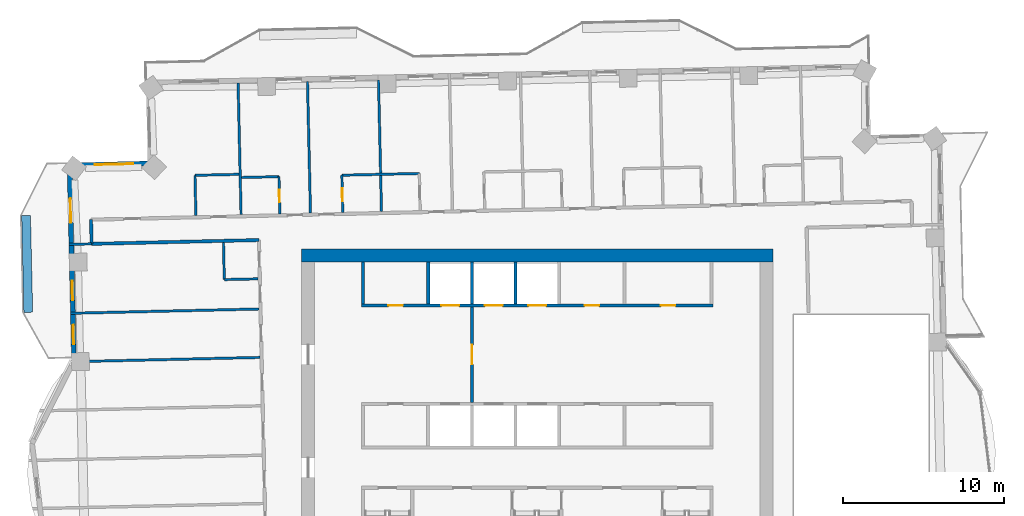
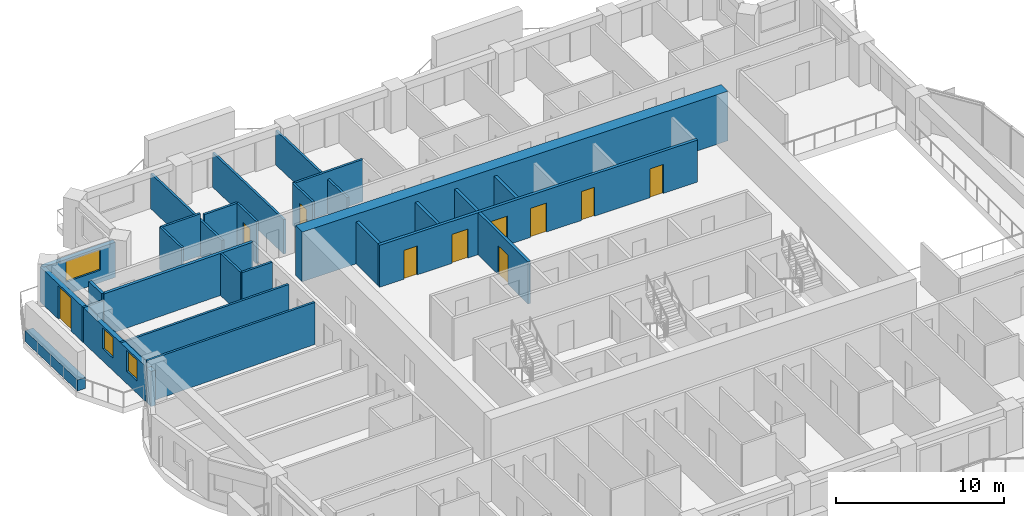
# One storey, part 10 of 17: 26 walls, 10 doors, 3 windows, 13 openings.
"""IFC4 building model written with IfcOpenShell, lengths in metres."""

from ifc_helpers import new_model, si_unit, direction, frame, frame_2d, origin, place, context, subcontext, project, spatial, rectangle, extrude, material, layer, layer_set, type_object, element, fill, save


model = new_model("IFC4")

# Units and contexts
model_context = context("Model", 3, precision=1e-05, world=origin(), true_north=direction((0.0, 1.0)))
body_context = subcontext(model_context, "Body", "Model", "MODEL_VIEW")
ifc_project = project(units=[si_unit("LENGTHUNIT", "METRE"), si_unit("AREAUNIT", "SQUARE_METRE"), si_unit("VOLUMEUNIT", "CUBIC_METRE"), si_unit("PLANEANGLEUNIT", "RADIAN"), si_unit("MASSUNIT", "GRAM", prefix="KILO")], contexts=[model_context])

# Site, building, storey
site_placement = place(None, origin())
site = spatial("IfcSite", under=ifc_project, at=site_placement, CompositionType="ELEMENT")
building_placement = place(site_placement, origin())
building = spatial("IfcBuilding", under=site, at=building_placement, Name="Mangrove Gate Tower", CompositionType="ELEMENT")
storey_placement = place(building_placement, frame((0.0, 0.0, 238.300048828125)))
storey = spatial("IfcBuildingStorey", under=building, at=storey_placement, Name="L60", CompositionType="ELEMENT", Elevation=238.300048828125)

# Wall, opening, door
ifc_material_1 = material(Name="Concrete C32/40", Category="concrete")
ifc_layer_1 = layer(ifc_material_1, 0.199951171875)
ifc_layer_set_1 = layer_set([ifc_layer_1], Name="Core lobby wall 200 C32/40")
wall_type_1 = type_object("IfcWallType", Name="Core lobby wall 200 C32/40", PredefinedType="STANDARD", material=ifc_layer_set_1)
wall_1_placement = place(storey_placement, frame((-4.050048828125, 2.10009765625, 0.0), z_axis=(0.0, 0.0, 1.0), x_axis=(0.0, 1.0, 0.0)))
wall_1 = element("IfcWall", 1, at=wall_1_placement, inside=storey, type_object=wall_type_1, Name="WALL-L60-CORE-33", PredefinedType="STANDARD", context=body_context, shape_type="SweptSolid", body=[
    extrude(rectangle(XDim=5.89990234375, YDim=0.199951171875, at=frame_2d((2.949951171875, 0.0))), origin(), (0.0, 0.0, 1.0), 3.050048828125),
])
opening_1_placement = place(wall_1_placement, frame((2.35009765625, 0.0, 0.0)))
opening_1 = element("IfcOpeningElement", 2, at=opening_1_placement, cuts=wall_1, Name="Opening FL12", PredefinedType="OPENING", context=body_context, shape_type="SweptSolid", body=[
    extrude(rectangle(XDim=1.199951171875, YDim=2.10009765625, at=frame_2d((0.60009765625, 1.050048828125))), frame((0.0, 0.10986328125, 0.0), z_axis=(0.0, -1.0, 0.0), x_axis=(1.0, 0.0, 0.0)), (0.0, 0.0, 1.0), 0.219970703125),
])
ifc_material_2 = material(Name="Fire-rated steel door set", Category="steel")
door_type_1 = type_object("IfcDoorType", Name="Lobby door FD60 1200x2100", OperationType="SINGLE_SWING_LEFT", PredefinedType="DOOR", material=ifc_material_2)
door_1_placement = place(opening_1_placement, origin())
door_1 = element("IfcDoor", 3, at=door_1_placement, inside=storey, type_object=door_type_1, Name="Lobby door lift lobby partition", OperationType="SINGLE_SWING_LEFT", OverallHeight=2.10009765625, OverallWidth=1.199951171875, PredefinedType="DOOR", context=body_context, shape_type="SweptSolid", body=[
    extrude(rectangle(XDim=1.199951171875, YDim=2.10009765625, at=frame_2d((0.60009765625, 1.050048828125))), frame((0.0, 0.02490234375, 0.0), z_axis=(0.0, -1.0, 0.0), x_axis=(1.0, 0.0, 0.0)), (0.0, 0.0, 1.0), 0.050048828125),
])
fill(opening_1, door_1)

# Wall
ifc_material_3 = material(Name="Concrete C32/40", Category="concrete")
ifc_layer_2 = layer(ifc_material_3, 0.199951171875)
ifc_layer_set_2 = layer_set([ifc_layer_2], Name="Core room wall 200 C32/40")
wall_type_2 = type_object("IfcWallType", Name="Core room wall 200 C32/40", PredefinedType="STANDARD", material=ifc_layer_set_2)
wall_2_placement = place(storey_placement, frame((-10.800048828125, 8.199951171875, 0.0), z_axis=(0.0, 0.0, 1.0), x_axis=(0.0, 1.0, 0.0)))
element("IfcWall", 4, at=wall_2_placement, inside=storey, type_object=wall_type_2, Name="WALL-L60-CORE-26", PredefinedType="STANDARD", context=body_context, shape_type="SweptSolid", body=[
    extrude(rectangle(XDim=2.60009765625, YDim=0.199951171875, at=frame_2d((1.300048828125, 0.0))), origin(), (0.0, 0.0, 1.0), 3.050048828125),
])

# Wall, openings, doors
ifc_material_4 = material(Name="Concrete C60/75", Category="concrete")
ifc_layer_3 = layer(ifc_material_4, 0.199951171875)
ifc_layer_set_3 = layer_set([ifc_layer_3], Name="Core shaft wall 200 C60/75")
wall_type_3 = type_object("IfcWallType", Name="Core shaft wall 200 C60/75", PredefinedType="SHEAR", material=ifc_layer_set_3)
wall_3_placement = place(storey_placement, frame((-10.89990234375, 8.10009765625, 0.0), z_axis=(0.0, 0.0, 1.0), x_axis=(1.0, 0.0, 0.0)))
wall_3 = element("IfcWall", 5, at=wall_3_placement, inside=storey, type_object=wall_type_3, Name="WALL-L60-CORE-8", PredefinedType="SHEAR", context=body_context, shape_type="SweptSolid", body=[
    extrude(rectangle(XDim=21.7998046875, YDim=0.199951171875, at=frame_2d((10.89990234375, 0.0))), origin(), (0.0, 0.0, 1.0), 3.050048828125),
])
opening_2_placement = place(wall_3_placement, frame((4.949951171875, 0.0, 0.0)))
opening_2 = element("IfcOpeningElement", 6, at=opening_2_placement, cuts=wall_3, Name="Opening LD", PredefinedType="OPENING", context=body_context, shape_type="SweptSolid", body=[
    extrude(rectangle(XDim=1.10009765625, YDim=2.10009765625, at=frame_2d((0.550048828125, 1.050048828125))), frame((0.0, 0.10986328125, 0.0), z_axis=(0.0, -1.0, 0.0), x_axis=(1.0, 0.0, 0.0)), (0.0, 0.0, 1.0), 0.219970703125),
])
opening_3_placement = place(wall_3_placement, frame((7.64990234375, 0.0, 0.0)))
opening_3 = element("IfcOpeningElement", 7, at=opening_3_placement, cuts=wall_3, Name="Opening LD", PredefinedType="OPENING", context=body_context, shape_type="SweptSolid", body=[
    extrude(rectangle(XDim=1.10009765625, YDim=2.10009765625, at=frame_2d((0.550048828125, 1.050048828125))), frame((0.0, 0.10986328125, 0.0), z_axis=(0.0, -1.0, 0.0), x_axis=(1.0, 0.0, 0.0)), (0.0, 0.0, 1.0), 0.219970703125),
])
opening_4_placement = place(wall_3_placement, frame((10.35009765625, 0.0, 0.0)))
opening_4 = element("IfcOpeningElement", 8, at=opening_4_placement, cuts=wall_3, Name="Opening LD", PredefinedType="OPENING", context=body_context, shape_type="SweptSolid", body=[
    extrude(rectangle(XDim=1.10009765625, YDim=2.10009765625, at=frame_2d((0.550048828125, 1.050048828125))), frame((0.0, 0.10986328125, 0.0), z_axis=(0.0, -1.0, 0.0), x_axis=(1.0, 0.0, 0.0)), (0.0, 0.0, 1.0), 0.219970703125),
])
opening_5_placement = place(wall_3_placement, frame((1.675048828125, 0.0, 0.0)))
opening_5 = element("IfcOpeningElement", 9, at=opening_5_placement, cuts=wall_3, Name="Opening KD", PredefinedType="OPENING", context=body_context, shape_type="SweptSolid", body=[
    extrude(rectangle(XDim=0.89990234375, YDim=2.10009765625, at=frame_2d((0.449951171875, 1.050048828125))), frame((0.0, 0.10986328125, 0.0), z_axis=(0.0, -1.0, 0.0), x_axis=(1.0, 0.0, 0.0)), (0.0, 0.0, 1.0), 0.219970703125),
])
opening_6_placement = place(wall_3_placement, frame((13.824951171875, 0.0, 0.0)))
opening_6 = element("IfcOpeningElement", 10, at=opening_6_placement, cuts=wall_3, Name="Opening KD", PredefinedType="OPENING", context=body_context, shape_type="SweptSolid", body=[
    extrude(rectangle(XDim=0.89990234375, YDim=2.10009765625, at=frame_2d((0.449951171875, 1.050048828125))), frame((0.0, 0.10986328125, 0.0), z_axis=(0.0, -1.0, 0.0), x_axis=(1.0, 0.0, 0.0)), (0.0, 0.0, 1.0), 0.219970703125),
])
opening_7_placement = place(wall_3_placement, frame((18.550048828125, 0.0, 0.0)))
opening_7 = element("IfcOpeningElement", 11, at=opening_7_placement, cuts=wall_3, Name="Opening RD", PredefinedType="OPENING", context=body_context, shape_type="SweptSolid", body=[
    extrude(rectangle(XDim=0.89990234375, YDim=2.10009765625, at=frame_2d((0.449951171875, 1.050048828125))), frame((0.0, 0.10986328125, 0.0), z_axis=(0.0, -1.0, 0.0), x_axis=(1.0, 0.0, 0.0)), (0.0, 0.0, 1.0), 0.219970703125),
])
ifc_material_5 = material(Name="Fire-rated steel door set", Category="steel")
door_type_2 = type_object("IfcDoorType", Name="Core room door FD30S 900x2100", OperationType="SINGLE_SWING_RIGHT", PredefinedType="DOOR", material=ifc_material_5)
door_2_placement = place(opening_5_placement, origin())
door_2 = element("IfcDoor", 12, at=door_2_placement, inside=storey, type_object=door_type_2, Name="Core room door Cleaner's store", OperationType="SINGLE_SWING_RIGHT", OverallHeight=2.10009765625, OverallWidth=0.89990234375, PredefinedType="DOOR", context=body_context, shape_type="SweptSolid", body=[
    extrude(rectangle(XDim=0.89990234375, YDim=2.10009765625, at=frame_2d((0.449951171875, 1.050048828125))), frame((0.0, 0.02490234375, 0.0), z_axis=(0.0, -1.0, 0.0), x_axis=(1.0, 0.0, 0.0)), (0.0, 0.0, 1.0), 0.050048828125),
])
fill(opening_5, door_2)
door_3_placement = place(opening_6_placement, origin())
door_3 = element("IfcDoor", 13, at=door_3_placement, inside=storey, type_object=door_type_2, Name="Core room door Refuse store", OperationType="SINGLE_SWING_RIGHT", OverallHeight=2.10009765625, OverallWidth=0.89990234375, PredefinedType="DOOR", context=body_context, shape_type="SweptSolid", body=[
    extrude(rectangle(XDim=0.89990234375, YDim=2.10009765625, at=frame_2d((0.449951171875, 1.050048828125))), frame((0.0, 0.02490234375, 0.0), z_axis=(0.0, -1.0, 0.0), x_axis=(1.0, 0.0, 0.0)), (0.0, 0.0, 1.0), 0.050048828125),
])
fill(opening_6, door_3)
ifc_material_6 = material(Name="Stainless steel 316", Category="steel")
door_type_3 = type_object("IfcDoorType", Name="Lift landing door 1100x2100", OperationType="SLIDING_TO_LEFT", PredefinedType="DOOR", material=ifc_material_6)
door_4_placement = place(opening_2_placement, origin())
door_4 = element("IfcDoor", 14, at=door_4_placement, inside=storey, type_object=door_type_3, Name="Landing door LD H04", OperationType="SLIDING_TO_LEFT", OverallHeight=2.10009765625, OverallWidth=1.10009765625, PredefinedType="DOOR", context=body_context, shape_type="SweptSolid", body=[
    extrude(rectangle(XDim=1.10009765625, YDim=2.10009765625, at=frame_2d((0.550048828125, 1.050048828125))), frame((0.0, 0.02490234375, 0.0), z_axis=(0.0, -1.0, 0.0), x_axis=(1.0, 0.0, 0.0)), (0.0, 0.0, 1.0), 0.050048828125),
])
fill(opening_2, door_4)
door_5_placement = place(opening_3_placement, origin())
door_5 = element("IfcDoor", 15, at=door_5_placement, inside=storey, type_object=door_type_3, Name="Landing door LD H05", OperationType="SLIDING_TO_LEFT", OverallHeight=2.10009765625, OverallWidth=1.10009765625, PredefinedType="DOOR", context=body_context, shape_type="SweptSolid", body=[
    extrude(rectangle(XDim=1.10009765625, YDim=2.10009765625, at=frame_2d((0.550048828125, 1.050048828125))), frame((0.0, 0.02490234375, 0.0), z_axis=(0.0, -1.0, 0.0), x_axis=(1.0, 0.0, 0.0)), (0.0, 0.0, 1.0), 0.050048828125),
])
fill(opening_3, door_5)
door_6_placement = place(opening_4_placement, origin())
door_6 = element("IfcDoor", 16, at=door_6_placement, inside=storey, type_object=door_type_3, Name="Landing door LD H06", OperationType="SLIDING_TO_LEFT", OverallHeight=2.10009765625, OverallWidth=1.10009765625, PredefinedType="DOOR", context=body_context, shape_type="SweptSolid", body=[
    extrude(rectangle(XDim=1.10009765625, YDim=2.10009765625, at=frame_2d((0.550048828125, 1.050048828125))), frame((0.0, 0.02490234375, 0.0), z_axis=(0.0, -1.0, 0.0), x_axis=(1.0, 0.0, 0.0)), (0.0, 0.0, 1.0), 0.050048828125),
])
fill(opening_4, door_6)
ifc_material_7 = material(Name="Fire-rated steel door set", Category="steel")
door_type_4 = type_object("IfcDoorType", Name="Riser door FD30S 900x2100", OperationType="SINGLE_SWING_LEFT", PredefinedType="DOOR", material=ifc_material_7)
door_7_placement = place(opening_7_placement, origin())
door_7 = element("IfcDoor", 17, at=door_7_placement, inside=storey, type_object=door_type_4, Name="Riser door Electrical room", OperationType="SINGLE_SWING_LEFT", OverallHeight=2.10009765625, OverallWidth=0.89990234375, PredefinedType="DOOR", context=body_context, shape_type="SweptSolid", body=[
    extrude(rectangle(XDim=0.89990234375, YDim=2.10009765625, at=frame_2d((0.449951171875, 1.050048828125))), frame((0.0, 0.02490234375, 0.0), z_axis=(0.0, -1.0, 0.0), x_axis=(1.0, 0.0, 0.0)), (0.0, 0.0, 1.0), 0.050048828125),
])
fill(opening_7, door_7)

# Walls
for number, where, z_axis, x_axis, name in (
    (18, (-6.75, 8.199951171875, 0.0), (0.0, 0.0, 1.0), (0.0, 1.0, 0.0), "WALL-L60-CORE-27"),
    (19, (-4.050048828125, 8.199951171875, 0.0), (0.0, 0.0, 1.0), (0.0, 1.0, 0.0), "WALL-L60-CORE-28"),
    (20, (-1.35009765625, 8.199951171875, 0.0), (0.0, 0.0, 1.0), (0.0, 1.0, 0.0), "WALL-L60-CORE-29"),
):
    element("IfcWall", number, at=place(storey_placement, frame(where, z_axis=z_axis, x_axis=x_axis)), inside=storey, type_object=wall_type_3, Name=name, PredefinedType="SHEAR", context=body_context, shape_type="SweptSolid", body=[
        extrude(rectangle(XDim=2.60009765625, YDim=0.199951171875, at=frame_2d((1.300048828125, 0.0))), origin(), (0.0, 0.0, 1.0), 3.050048828125),
    ])
ifc_material_8 = material(Name="Concrete C60/75", Category="concrete")
ifc_layer_4 = layer(ifc_material_8, 0.800048828125)
ifc_layer_set_4 = layer_set([ifc_layer_4], Name="Core wall 800 C60/75")
wall_type_4 = type_object("IfcWallType", Name="Core wall 800 C60/75", PredefinedType="SHEAR", material=ifc_layer_set_4)
wall_4_placement = place(storey_placement, frame((-14.60009765625, 11.199951171875, 0.0), z_axis=(0.0, 0.0, 1.0), x_axis=(1.0, 0.0, 0.0)))
element("IfcWall", 21, at=wall_4_placement, inside=storey, type_object=wall_type_4, Name="WALL-L60-CORE-2", PredefinedType="SHEAR", context=body_context, shape_type="SweptSolid", body=[
    extrude(rectangle(XDim=29.2001953125, YDim=0.800048828125, at=frame_2d((14.60009765625, 0.0))), origin(), (0.0, 0.0, 1.0), 3.599853515625),
])
ifc_material_9 = material(Name="Gypsum board on steel stud, EI 60", Category="steel")
ifc_layer_5 = layer(ifc_material_9, 0.199951171875)
ifc_layer_set_5 = layer_set([ifc_layer_5], Name="Corridor wall EI 60")
wall_type_5 = type_object("IfcWallType", Name="Corridor wall EI 60", PredefinedType="PARTITIONING", material=ifc_layer_set_5)
wall_5_placement = place(storey_placement, frame((-27.617919921875, 11.9130859375, 0.0), z_axis=(0.0, 0.0, 1.0), x_axis=(0.999741483035, 0.022736910479, 0.0)))
element("IfcWall", 22, at=wall_5_placement, inside=storey, type_object=wall_type_5, Name="WALL-L60-048", PredefinedType="PARTITIONING", context=body_context, shape_type="SweptSolid", body=[
    extrude(rectangle(XDim=10.37255859375, YDim=0.199951171875, at=frame_2d((5.186279296875, 0.0))), origin(), (0.0, 0.0, 1.0), 3.050048828125),
])
wall_6_placement = place(storey_placement, frame((-27.614013671875, 11.9130859375, 0.0), z_axis=(0.0, 0.0, 1.0), x_axis=(-0.022617910375, 0.999744182344, 0.0)))
element("IfcWall", 23, at=wall_6_placement, inside=storey, type_object=wall_type_5, Name="WALL-L60-049", PredefinedType="PARTITIONING", context=body_context, shape_type="SweptSolid", body=[
    extrude(rectangle(XDim=1.50048828125, YDim=0.199951171875, at=frame_2d((0.750244140625, 0.0))), origin(), (0.0, 0.0, 1.0), 3.050048828125),
])

# Wall, opening, window
ifc_material_10 = material(Name="Limestone", Category="masonry")
ifc_layer_6 = layer(ifc_material_10, 0.0400390625, Name="Limestone cladding")
ifc_material_11 = material(Name="Ventilated air gap")
ifc_layer_7 = layer(ifc_material_11, 0.0400390625, Name="Ventilated cavity")
ifc_material_12 = material(Name="Mineral wool insulation")
ifc_layer_8 = layer(ifc_material_12, 0.06005859375, Name="Insulation")
ifc_material_13 = material(Name="Breather membrane")
ifc_layer_9 = layer(ifc_material_13, 0.001953125, Name="Breather membrane")
ifc_material_14 = material(Name="Concrete C20/25 blockwork", Category="masonry")
ifc_layer_10 = layer(ifc_material_14, 0.14990234375, Name="Blockwork backing wall")
ifc_material_15 = material(Name="Gypsum plaster")
ifc_layer_11 = layer(ifc_material_15, 0.008056640625, Name="Internal plaster")
ifc_layer_set_6 = layer_set([ifc_layer_6, ifc_layer_7, ifc_layer_8, ifc_layer_9, ifc_layer_10, ifc_layer_11], Name="External wall 300 limestone cladding")
wall_type_6 = type_object("IfcWallType", Name="External wall 300 limestone cladding", PredefinedType="SOLIDWALL", material=ifc_layer_set_6)
wall_7_placement = place(storey_placement, frame((-23.98095703125, 16.89697265625, 0.0), z_axis=(0.0, 0.0, 1.0), x_axis=(-0.999744350543, -0.022610474516, 0.0)))
wall_7 = element("IfcWall", 24, at=wall_7_placement, inside=storey, type_object=wall_type_6, Name="WALL-L60-N7", PredefinedType="SOLIDWALL", context=body_context, shape_type="SweptSolid", body=[
    extrude(rectangle(XDim=4.999267578125, YDim=0.300048828125, at=frame_2d((2.49951171875, 0.0))), origin(), (0.0, 0.0, 1.0), 2.550048828125),
])
opening_8_placement = place(wall_7_placement, frame((1.0439453125, 0.0, 0.89990234375)))
opening_8 = element("IfcOpeningElement", 25, at=opening_8_placement, cuts=wall_7, Name="Opening W2", PredefinedType="OPENING", context=body_context, shape_type="SweptSolid", body=[
    extrude(rectangle(XDim=2.39990234375, YDim=1.5, at=frame_2d((1.199951171875, 0.75))), frame((0.0, 0.159912109375, 0.0), z_axis=(0.0, -1.0, 0.0), x_axis=(1.0, 0.0, 0.0)), (0.0, 0.0, 1.0), 0.320068359375),
])
ifc_material_16 = material(Name="Aluminium frame with double-glazed low-e glass", Category="aluminium")
window_type_1 = type_object("IfcWindowType", Name="Corner room window 2400x1500", PartitioningType="DOUBLE_PANEL_VERTICAL", PredefinedType="WINDOW", material=ifc_material_16)
window_1_placement = place(opening_8_placement, origin())
window_1 = element("IfcWindow", 26, at=window_1_placement, inside=storey, type_object=window_type_1, Name="WIN-L60-N7-1", OverallHeight=1.5, OverallWidth=2.39990234375, PartitioningType="DOUBLE_PANEL_VERTICAL", PredefinedType="WINDOW", context=body_context, shape_type="SweptSolid", body=[
    extrude(rectangle(XDim=2.39990234375, YDim=1.5, at=frame_2d((1.199951171875, 0.75))), frame((0.0, 0.030029296875, 0.0), z_axis=(0.0, -1.0, 0.0), x_axis=(1.0, 0.0, 0.0)), (0.0, 0.0, 1.0), 0.06005859375),
])
fill(opening_8, window_1)

# Wall, openings, door, windows
wall_8_placement = place(storey_placement, frame((-28.97900390625, 16.783935546875, 0.0), z_axis=(0.0, 0.0, 1.0), x_axis=(0.022685159264, -0.999742658662, 0.0)))
wall_8 = element("IfcWall", 27, at=wall_8_placement, inside=storey, type_object=wall_type_6, Name="WALL-L60-W8s1", PredefinedType="SOLIDWALL", context=body_context, shape_type="SweptSolid", body=[
    extrude(rectangle(XDim=12.69921875, YDim=0.300048828125, at=frame_2d((6.349609375, 0.0))), origin(), (0.0, 0.0, 1.0), 2.550048828125),
])
opening_9_placement = place(wall_8_placement, frame((2.06005859375, 0.0, 0.0)))
opening_9 = element("IfcOpeningElement", 28, at=opening_9_placement, cuts=wall_8, Name="Opening BD1", PredefinedType="OPENING", context=body_context, shape_type="SweptSolid", body=[
    extrude(rectangle(XDim=1.5, YDim=2.39990234375, at=frame_2d((0.75, 1.199951171875))), frame((0.0, 0.159912109375, 0.0), z_axis=(0.0, -1.0, 0.0), x_axis=(1.0, 0.0, 0.0)), (0.0, 0.0, 1.0), 0.320068359375),
])
opening_10_placement = place(wall_8_placement, frame((7.1689453125, 0.0, 0.89990234375)))
opening_10 = element("IfcOpeningElement", 29, at=opening_10_placement, cuts=wall_8, Name="Opening W1", PredefinedType="OPENING", context=body_context, shape_type="SweptSolid", body=[
    extrude(rectangle(XDim=1.199951171875, YDim=1.5, at=frame_2d((0.60009765625, 0.75))), frame((0.0, 0.159912109375, 0.0), z_axis=(0.0, -1.0, 0.0), x_axis=(1.0, 0.0, 0.0)), (0.0, 0.0, 1.0), 0.320068359375),
])
opening_11_placement = place(wall_8_placement, frame((9.89892578125, 0.0, 0.89990234375)))
opening_11 = element("IfcOpeningElement", 30, at=opening_11_placement, cuts=wall_8, Name="Opening W1", PredefinedType="OPENING", context=body_context, shape_type="SweptSolid", body=[
    extrude(rectangle(XDim=1.199951171875, YDim=1.5, at=frame_2d((0.60009765625, 0.75))), frame((0.0, 0.159912109375, 0.0), z_axis=(0.0, -1.0, 0.0), x_axis=(1.0, 0.0, 0.0)), (0.0, 0.0, 1.0), 0.320068359375),
])
ifc_material_17 = material(Name="Aluminium frame with laminated clear glass", Category="aluminium")
door_type_5 = type_object("IfcDoorType", Name="Balcony sliding door 1500x2400", OperationType="SLIDING_TO_LEFT", PredefinedType="DOOR", material=ifc_material_17)
door_8_placement = place(opening_9_placement, origin())
door_8 = element("IfcDoor", 31, at=door_8_placement, inside=storey, type_object=door_type_5, Name="DOOR-L60-W8-1", OperationType="SLIDING_TO_LEFT", OverallHeight=2.39990234375, OverallWidth=1.5, PredefinedType="DOOR", context=body_context, shape_type="SweptSolid", body=[
    extrude(rectangle(XDim=1.5, YDim=2.39990234375, at=frame_2d((0.75, 1.199951171875))), frame((0.0, 0.02490234375, 0.0), z_axis=(0.0, -1.0, 0.0), x_axis=(1.0, 0.0, 0.0)), (0.0, 0.0, 1.0), 0.050048828125),
])
fill(opening_9, door_8)
ifc_material_18 = material(Name="Aluminium frame with double-glazed low-e glass", Category="aluminium")
window_type_2 = type_object("IfcWindowType", Name="Side lite 1200x1500", PartitioningType="SINGLE_PANEL", PredefinedType="WINDOW", material=ifc_material_18)
window_2_placement = place(opening_10_placement, origin())
window_2 = element("IfcWindow", 32, at=window_2_placement, inside=storey, type_object=window_type_2, Name="WIN-L60-W8-2", OverallHeight=1.5, OverallWidth=1.199951171875, PartitioningType="SINGLE_PANEL", PredefinedType="WINDOW", context=body_context, shape_type="SweptSolid", body=[
    extrude(rectangle(XDim=1.199951171875, YDim=1.5, at=frame_2d((0.60009765625, 0.75))), frame((0.0, 0.030029296875, 0.0), z_axis=(0.0, -1.0, 0.0), x_axis=(1.0, 0.0, 0.0)), (0.0, 0.0, 1.0), 0.06005859375),
])
fill(opening_10, window_2)
window_3_placement = place(opening_11_placement, origin())
window_3 = element("IfcWindow", 33, at=window_3_placement, inside=storey, type_object=window_type_2, Name="WIN-L60-W8-3", OverallHeight=1.5, OverallWidth=1.199951171875, PartitioningType="SINGLE_PANEL", PredefinedType="WINDOW", context=body_context, shape_type="SweptSolid", body=[
    extrude(rectangle(XDim=1.199951171875, YDim=1.5, at=frame_2d((0.60009765625, 0.75))), frame((0.0, 0.030029296875, 0.0), z_axis=(0.0, -1.0, 0.0), x_axis=(1.0, 0.0, 0.0)), (0.0, 0.0, 1.0), 0.06005859375),
])
fill(opening_11, window_3)

# Walls
ifc_material_19 = material(Name="Gypsum board on steel stud, EI 60", Category="steel")
ifc_layer_12 = layer(ifc_material_19, 0.14990234375)
ifc_layer_set_7 = layer_set([ifc_layer_12], Name="Party wall 150 EI 60")
wall_type_7 = type_object("IfcWallType", Name="Party wall 150 EI 60", PredefinedType="PARTITIONING", material=ifc_layer_set_7)
wall_9_placement = place(storey_placement, frame((-28.85302734375, 4.613037109375, 0.0), z_axis=(0.0, 0.0, 1.0), x_axis=(0.999742483, 0.022692899457, 0.0)))
element("IfcWall", 34, at=wall_9_placement, inside=storey, type_object=wall_type_7, Name="WALL-L60-042", PredefinedType="PARTITIONING", context=body_context, shape_type="SweptSolid", body=[
    extrude(rectangle(XDim=11.6728515625, YDim=0.14990234375, at=frame_2d((5.83642578125, 0.0))), origin(), (0.0, 0.0, 1.0), 3.050048828125),
])
wall_10_placement = place(storey_placement, frame((-28.9208984375, 7.613037109375, 0.0), z_axis=(0.0, 0.0, 1.0), x_axis=(0.999744377516, 0.022609281843, 0.0)))
element("IfcWall", 35, at=wall_10_placement, inside=storey, type_object=wall_type_7, Name="WALL-L60-044", PredefinedType="PARTITIONING", context=body_context, shape_type="SweptSolid", body=[
    extrude(rectangle(XDim=11.6728515625, YDim=0.14990234375, at=frame_2d((5.83642578125, 0.0))), origin(), (0.0, 0.0, 1.0), 2.550048828125),
])
wall_11_placement = place(storey_placement, frame((-19.39306640625, 9.698974609375, 0.0), z_axis=(0.0, 0.0, 1.0), x_axis=(0.999737616439, 0.022906293375, 0.0)))
element("IfcWall", 36, at=wall_11_placement, inside=storey, type_object=wall_type_7, Name="WALL-L60-045", PredefinedType="PARTITIONING", context=body_context, shape_type="SweptSolid", body=[
    extrude(rectangle(XDim=2.099609375, YDim=0.14990234375, at=frame_2d((1.0498046875, 0.0))), origin(), (0.0, 0.0, 1.0), 3.050048828125),
])
wall_12_placement = place(storey_placement, frame((-19.39208984375, 9.698974609375, 0.0), z_axis=(0.0, 0.0, 1.0), x_axis=(-0.022603288534, 0.999744513037, 0.0)))
element("IfcWall", 37, at=wall_12_placement, inside=storey, type_object=wall_type_7, Name="WALL-L60-046", PredefinedType="PARTITIONING", context=body_context, shape_type="SweptSolid", body=[
    extrude(rectangle(XDim=2.300537109375, YDim=0.14990234375, at=frame_2d((1.150390625, 0.0))), origin(), (0.0, 0.0, 1.0), 3.050048828125),
])
wall_13_placement = place(storey_placement, frame((-29.01806640625, 11.881103515625, 0.0), z_axis=(0.0, 0.0, 1.0), x_axis=(0.999740667531, 0.022772739949, 0.0)))
element("IfcWall", 38, at=wall_13_placement, inside=storey, type_object=wall_type_7, Name="WALL-L60-047", PredefinedType="PARTITIONING", context=body_context, shape_type="SweptSolid", body=[
    extrude(rectangle(XDim=1.404296875, YDim=0.14990234375, at=frame_2d((0.7021484375, 0.0))), origin(), (0.0, 0.0, 1.0), 2.550048828125),
])
wall_14_placement = place(storey_placement, frame((-21.152099609375, 13.659912109375, 0.0), z_axis=(0.0, 0.0, 1.0), x_axis=(-0.02274801823, 0.999741230352, 0.0)))
element("IfcWall", 39, at=wall_14_placement, inside=storey, type_object=wall_type_7, Name="WALL-L60-054", PredefinedType="PARTITIONING", context=body_context, shape_type="SweptSolid", body=[
    extrude(rectangle(XDim=2.500732421875, YDim=0.14990234375, at=frame_2d((1.25048828125, 0.0))), origin(), (0.0, 0.0, 1.0), 3.050048828125),
])
wall_15_placement = place(storey_placement, frame((-18.35302734375, 13.72412109375, 0.0), z_axis=(0.0, 0.0, 1.0), x_axis=(-0.022706435224, 0.999742175663, 0.0)))
element("IfcWall", 40, at=wall_15_placement, inside=storey, type_object=wall_type_7, Name="WALL-L60-055", PredefinedType="PARTITIONING", context=body_context, shape_type="SweptSolid", body=[
    extrude(rectangle(XDim=8.150146484375, YDim=0.14990234375, at=frame_2d((4.0751953125, 0.0))), origin(), (0.0, 0.0, 1.0), 2.550048828125),
])

# Wall, opening, door
wall_16_placement = place(storey_placement, frame((-15.9541015625, 13.778076171875, 0.0), z_axis=(0.0, 0.0, 1.0), x_axis=(-0.022605686808, 0.999744458811, 0.0)))
wall_16 = element("IfcWall", 41, at=wall_16_placement, inside=storey, type_object=wall_type_7, Name="WALL-L60-056", PredefinedType="PARTITIONING", context=body_context, shape_type="SweptSolid", body=[
    extrude(rectangle(XDim=2.30029296875, YDim=0.14990234375, at=frame_2d((1.150146484375, 0.0))), origin(), (0.0, 0.0, 1.0), 3.050048828125),
])
opening_12_placement = place(wall_16_placement, frame((0.699951171875, 0.0, 0.0)))
opening_12 = element("IfcOpeningElement", 42, at=opening_12_placement, cuts=wall_16, Name="Opening ED", PredefinedType="OPENING", context=body_context, shape_type="SweptSolid", body=[
    extrude(rectangle(XDim=0.800048828125, YDim=2.10009765625, at=frame_2d((0.39990234375, 1.050048828125))), frame((0.0, 0.0849609375, 0.0), z_axis=(0.0, -1.0, 0.0), x_axis=(1.0, 0.0, 0.0)), (0.0, 0.0, 1.0), 0.169921875),
])
ifc_material_20 = material(Name="Timber door leaf", Category="wood")
door_type_6 = type_object("IfcDoorType", Name="En-suite door 800", OperationType="SINGLE_SWING_LEFT", PredefinedType="DOOR", material=ifc_material_20)
door_9_placement = place(opening_12_placement, origin())
door_9 = element("IfcDoor", 43, at=door_9_placement, inside=storey, type_object=door_type_6, Name="DOOR-L60-ENS-c516", OperationType="SINGLE_SWING_RIGHT", OverallHeight=2.10009765625, OverallWidth=0.800048828125, PredefinedType="DOOR", context=body_context, shape_type="SweptSolid", body=[
    extrude(rectangle(XDim=0.800048828125, YDim=2.10009765625, at=frame_2d((0.39990234375, 1.050048828125))), frame((0.0, 0.02490234375, 0.0), z_axis=(0.0, -1.0, 0.0), x_axis=(1.0, 0.0, 0.0)), (0.0, 0.0, 1.0), 0.050048828125),
])
fill(opening_12, door_9)

# Wall
wall_17_placement = place(storey_placement, frame((-14.053955078125, 13.821044921875, 0.0), z_axis=(0.0, 0.0, 1.0), x_axis=(-0.022706435224, 0.999742175663, 0.0)))
element("IfcWall", 44, at=wall_17_placement, inside=storey, type_object=wall_type_7, Name="WALL-L60-057", PredefinedType="PARTITIONING", context=body_context, shape_type="SweptSolid", body=[
    extrude(rectangle(XDim=8.150146484375, YDim=0.14990234375, at=frame_2d((4.0751953125, 0.0))), origin(), (0.0, 0.0, 1.0), 2.5),
])

# Wall, opening, door
wall_18_placement = place(storey_placement, frame((-12.054931640625, 13.866943359375, 0.0), z_axis=(0.0, 0.0, 1.0), x_axis=(-0.022612884682, 0.999744296031, 0.0)))
wall_18 = element("IfcWall", 45, at=wall_18_placement, inside=storey, type_object=wall_type_7, Name="WALL-L60-058", PredefinedType="PARTITIONING", context=body_context, shape_type="SweptSolid", body=[
    extrude(rectangle(XDim=2.299560546875, YDim=0.14990234375, at=frame_2d((1.14990234375, 0.0))), origin(), (0.0, 0.0, 1.0), 3.050048828125),
])
opening_13_placement = place(wall_18_placement, frame((0.699951171875, 0.0, 0.0)))
opening_13 = element("IfcOpeningElement", 46, at=opening_13_placement, cuts=wall_18, Name="Opening ED", PredefinedType="OPENING", context=body_context, shape_type="SweptSolid", body=[
    extrude(rectangle(XDim=0.800048828125, YDim=2.10009765625, at=frame_2d((0.39990234375, 1.050048828125))), frame((0.0, 0.0849609375, 0.0), z_axis=(0.0, -1.0, 0.0), x_axis=(1.0, 0.0, 0.0)), (0.0, 0.0, 1.0), 0.169921875),
])
door_10_placement = place(opening_13_placement, origin())
door_10 = element("IfcDoor", 47, at=door_10_placement, inside=storey, type_object=door_type_6, Name="DOOR-L60-ENS-c515", OperationType="SINGLE_SWING_LEFT", OverallHeight=2.10009765625, OverallWidth=0.800048828125, PredefinedType="DOOR", context=body_context, shape_type="SweptSolid", body=[
    extrude(rectangle(XDim=0.800048828125, YDim=2.10009765625, at=frame_2d((0.39990234375, 1.050048828125))), frame((0.0, 0.02490234375, 0.0), z_axis=(0.0, -1.0, 0.0), x_axis=(1.0, 0.0, 0.0)), (0.0, 0.0, 1.0), 0.050048828125),
])
fill(opening_13, door_10)

# Walls
wall_19_placement = place(storey_placement, frame((-9.655029296875, 13.9208984375, 0.0), z_axis=(0.0, 0.0, 1.0), x_axis=(-0.022705755232, 0.999742191107, 0.0)))
element("IfcWall", 48, at=wall_19_placement, inside=storey, type_object=wall_type_7, Name="WALL-L60-059", PredefinedType="PARTITIONING", context=body_context, shape_type="SweptSolid", body=[
    extrude(rectangle(XDim=8.150390625, YDim=0.14990234375, at=frame_2d((4.0751953125, 0.0))), origin(), (0.0, 0.0, 1.0), 2.5),
])
wall_20_placement = place(storey_placement, frame((-18.333984375, 16.02490234375, 0.0), z_axis=(0.0, 0.0, 1.0), x_axis=(0.999740260747, 0.02279059109, 0.0)))
element("IfcWall", 49, at=wall_20_placement, inside=storey, type_object=wall_type_7, Name="WALL-L60-073", PredefinedType="PARTITIONING", context=body_context, shape_type="SweptSolid", body=[
    extrude(rectangle(XDim=2.324462890625, YDim=0.14990234375, at=frame_2d((1.162109375, 0.0))), origin(), (0.0, 0.0, 1.0), 3.050048828125),
])
wall_21_placement = place(storey_placement, frame((-12.111083984375, 16.166015625, 0.0), z_axis=(0.0, 0.0, 1.0), x_axis=(0.999742701292, 0.022683280499, 0.0)))
element("IfcWall", 50, at=wall_21_placement, inside=storey, type_object=wall_type_7, Name="WALL-L60-074", PredefinedType="PARTITIONING", context=body_context, shape_type="SweptSolid", body=[
    extrude(rectangle(XDim=4.80029296875, YDim=0.14990234375, at=frame_2d((2.400146484375, 0.0))), origin(), (0.0, 0.0, 1.0), 3.050048828125),
])
wall_22_placement = place(storey_placement, frame((-21.212890625, 16.159912109375, 0.0), z_axis=(0.0, 0.0, 1.0), x_axis=(0.999749047428, 0.022401833993, 0.0)))
element("IfcWall", 51, at=wall_22_placement, inside=storey, type_object=wall_type_7, Name="WALL-L60-078", PredefinedType="PARTITIONING", context=body_context, shape_type="SweptSolid", body=[
    extrude(rectangle(XDim=2.724609375, YDim=0.14990234375, at=frame_2d((1.3623046875, 0.0))), origin(), (0.0, 0.0, 1.0), 3.050048828125),
])
ifc_material_21 = material(Name="Concrete C32/40", Category="concrete")
ifc_layer_13 = layer(ifc_material_21, 0.199951171875, Name="Planter trough wall")
ifc_material_22 = material(Name="Bituminous waterproofing membrane")
ifc_layer_14 = layer(ifc_material_22, 0.0048828125, Name="Waterproofing")
ifc_material_23 = material(Name="Drainage board and gravel")
ifc_layer_15 = layer(ifc_material_23, 0.044921875, Name="Drainage layer")
ifc_material_24 = material(Name="Planting soil")
ifc_layer_16 = layer(ifc_material_24, 0.300048828125, Name="Growing medium")
ifc_layer_set_8 = layer_set([ifc_layer_13, ifc_layer_14, ifc_layer_15, ifc_layer_16], Name="Planter wall 550 C32/40")
wall_type_8 = type_object("IfcWallType", Name="Planter wall 550 C32/40", PredefinedType="USERDEFINED", material=ifc_layer_set_8)
wall_23_placement = place(storey_placement, frame((-31.5380859375, 7.673095703125, 0.0), z_axis=(0.0, 0.0, 1.0), x_axis=(-0.022666865795, 0.999743073592, 0.0)))
element("IfcWall", 52, at=wall_23_placement, inside=storey, type_object=wall_type_8, Name="PLANTER L60 W0.1", ObjectType="PLANTER", PredefinedType="USERDEFINED", context=body_context, shape_type="SweptSolid", body=[
    extrude(rectangle(XDim=5.999267578125, YDim=0.550048828125, at=frame_2d((2.99951171875, 0.0))), origin(), (0.0, 0.0, 1.0), 0.800048828125),
])

save(model, "model.ifc")
